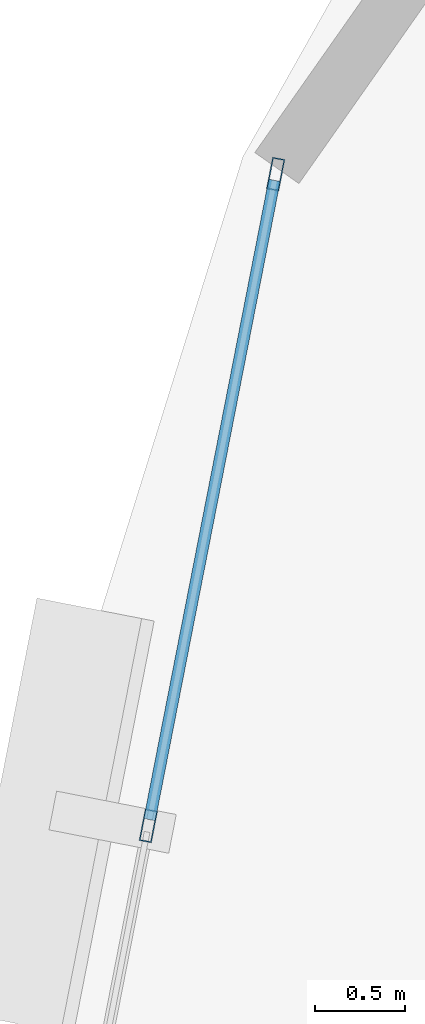
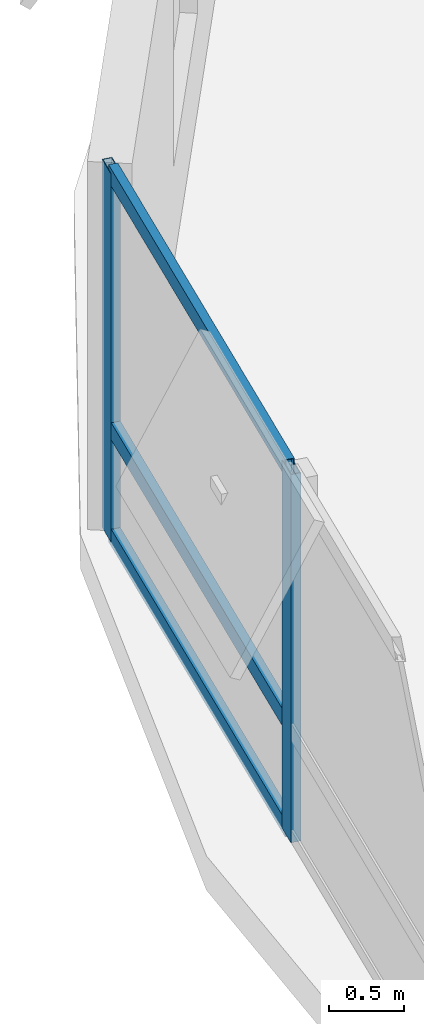
# One storey, part 6 of 15: 5 members, 1 element without a shape of its own.
"""IFC4 building model written with IfcOpenShell, lengths in metres."""

from ifc_helpers import new_model, si_unit, direction, frame, origin, origin_2d, place, context, subcontext, project, spatial, hollow_rectangle, extrude, material, layer, layer_set, material_profile, profile_set, type_object, element, aggregate, save


model = new_model("IFC4")

# Units and contexts
model_context = context("Model", 3, precision=1e-05, world=origin(), true_north=direction((0.0, 1.0)))
body_context = subcontext(model_context, "Body", "Model", "MODEL_VIEW")
ifc_project = project(units=[si_unit("LENGTHUNIT", "METRE"), si_unit("AREAUNIT", "SQUARE_METRE"), si_unit("VOLUMEUNIT", "CUBIC_METRE"), si_unit("PLANEANGLEUNIT", "RADIAN"), si_unit("MASSUNIT", "GRAM", prefix="KILO"), si_unit("THERMODYNAMICTEMPERATUREUNIT", "KELVIN"), si_unit("POWERUNIT", "WATT")], contexts=[model_context])

# Site, building, storey
site_placement = place(None, origin())
site = spatial("IfcSite", under=ifc_project, at=site_placement, CompositionType="ELEMENT")
building_placement = place(site_placement, origin())
building = spatial("IfcBuilding", under=site, at=building_placement, Name="Ocrelia Relay Tower", CompositionType="ELEMENT")
storey_placement = place(building_placement, frame((0.0, 0.0, 38.39990234375)))
storey = spatial("IfcBuildingStorey", under=building, at=storey_placement, Name="L08", CompositionType="ELEMENT", Elevation=38.39990234375)

# Curtain wall, members
ifc_material_1 = material(Name="Aluminium and solar-control low-E glass", Category="aluminium")
ifc_layer = layer(ifc_material_1, 0.179931640625, Name="Aluminium and solar-control low-E glass")
ifc_layer_set = layer_set([ifc_layer], Name="Aluminium and solar-control low-E glass")
curtain_wall_type = type_object("IfcCurtainWallType", Name="CW-SYS-Z1-DATA", PredefinedType="NOTDEFINED", material=ifc_layer_set)
curtain_wall_placement = place(storey_placement, origin())
curtain_wall = element("IfcCurtainWall", 1, at=curtain_wall_placement, inside=storey, type_object=curtain_wall_type, Name="L08 Elliptical Tower Curtain Wall Bay 09", PredefinedType="NOTDEFINED")
ifc_material_2 = material(Name="Anodised bronze aluminium", Category="aluminium")
ifc_material_profile_1 = material_profile(ifc_material_2, hollow_rectangle(XDim=0.070068359375, YDim=0.179931640625, WallThickness=0.006103515625, at=origin_2d()), Name="CW-MUL-180x70")
ifc_profile_set_1 = profile_set([ifc_material_profile_1], Name="Anodised bronze aluminium")
member_type_1 = type_object("IfcMemberType", Name="CW-SYS-Z1-DATA-MUL", PredefinedType="MULLION", material=ifc_profile_set_1)
member_1_placement = place(storey_placement, frame((7.642578125, 32.380615234375, 0.0), z_axis=(0.0, 0.0, 1.0), x_axis=(0.981425958071, -0.19184131157, 0.0)))
member_1 = element("IfcMember", 2, at=member_1_placement, type_object=member_type_1, Name="CW-Z1 mullion 1", PredefinedType="MULLION", context=body_context, shape_type="SweptSolid", body=[
    extrude(hollow_rectangle(XDim=0.070068359375, YDim=0.179931640625, WallThickness=0.006103515625, at=origin_2d()), origin(), (0.0, 0.0, 1.0), 3.0),
])
member_2_placement = place(storey_placement, frame((6.932373046875, 28.74658203125, 0.0), z_axis=(0.0, 0.0, 1.0), x_axis=(0.981425958071, -0.19184131157, 0.0)))
member_2 = element("IfcMember", 3, at=member_2_placement, type_object=member_type_1, Name="CW-Z1 mullion 2", PredefinedType="MULLION", context=body_context, shape_type="SweptSolid", body=[
    extrude(hollow_rectangle(XDim=0.070068359375, YDim=0.179931640625, WallThickness=0.006103515625, at=origin_2d()), origin(), (0.0, 0.0, 1.0), 3.0),
])
ifc_material_profile_2 = material_profile(ifc_material_2, hollow_rectangle(XDim=0.06494140625, YDim=0.139892578125, WallThickness=0.0048828125, at=origin_2d()), Name="CW-TRN-140x65")
ifc_profile_set_2 = profile_set([ifc_material_profile_2], Name="Anodised bronze aluminium")
member_type_2 = type_object("IfcMemberType", Name="CW-SYS-Z1-DATA-TRN", PredefinedType="USERDEFINED", material=ifc_profile_set_2)
member_3_placement = place(storey_placement, frame((7.635986328125, 32.34619140625, 0.03271484375), z_axis=(-0.191875111006, -0.981419350622, 0.0), x_axis=(0.981419350622, -0.191875111006, 0.0)))
member_3 = element("IfcMember", 4, at=member_3_placement, type_object=member_type_2, Name="CW-Z1 transom 1.1", ObjectType="TRANSOM", PredefinedType="USERDEFINED", context=body_context, shape_type="SweptSolid", body=[
    extrude(hollow_rectangle(XDim=0.06494140625, YDim=0.139892578125, WallThickness=0.0048828125, at=origin_2d()), origin(), (0.0, 0.0, 1.0), 3.632568359375),
])
member_4_placement = place(storey_placement, frame((7.635986328125, 32.34619140625, 0.900146484375), z_axis=(-0.191875111006, -0.981419350622, 0.0), x_axis=(0.981419350622, -0.191875111006, 0.0)))
member_4 = element("IfcMember", 5, at=member_4_placement, type_object=member_type_2, Name="CW-Z1 transom 1.2", ObjectType="TRANSOM", PredefinedType="USERDEFINED", context=body_context, shape_type="SweptSolid", body=[
    extrude(hollow_rectangle(XDim=0.06494140625, YDim=0.139892578125, WallThickness=0.0048828125, at=origin_2d()), origin(), (0.0, 0.0, 1.0), 3.632568359375),
])
member_5_placement = place(storey_placement, frame((7.635986328125, 32.34619140625, 2.967529296875), z_axis=(-0.191875111006, -0.981419350622, 0.0), x_axis=(0.981419350622, -0.191875111006, 0.0)))
member_5 = element("IfcMember", 6, at=member_5_placement, type_object=member_type_2, Name="CW-Z1 transom 1.3", ObjectType="TRANSOM", PredefinedType="USERDEFINED", context=body_context, shape_type="SweptSolid", body=[
    extrude(hollow_rectangle(XDim=0.06494140625, YDim=0.139892578125, WallThickness=0.0048828125, at=origin_2d()), origin(), (0.0, 0.0, 1.0), 3.632568359375),
])
aggregate(curtain_wall, [member_1, member_2, member_3, member_4, member_5])

save(model, "model.ifc")
